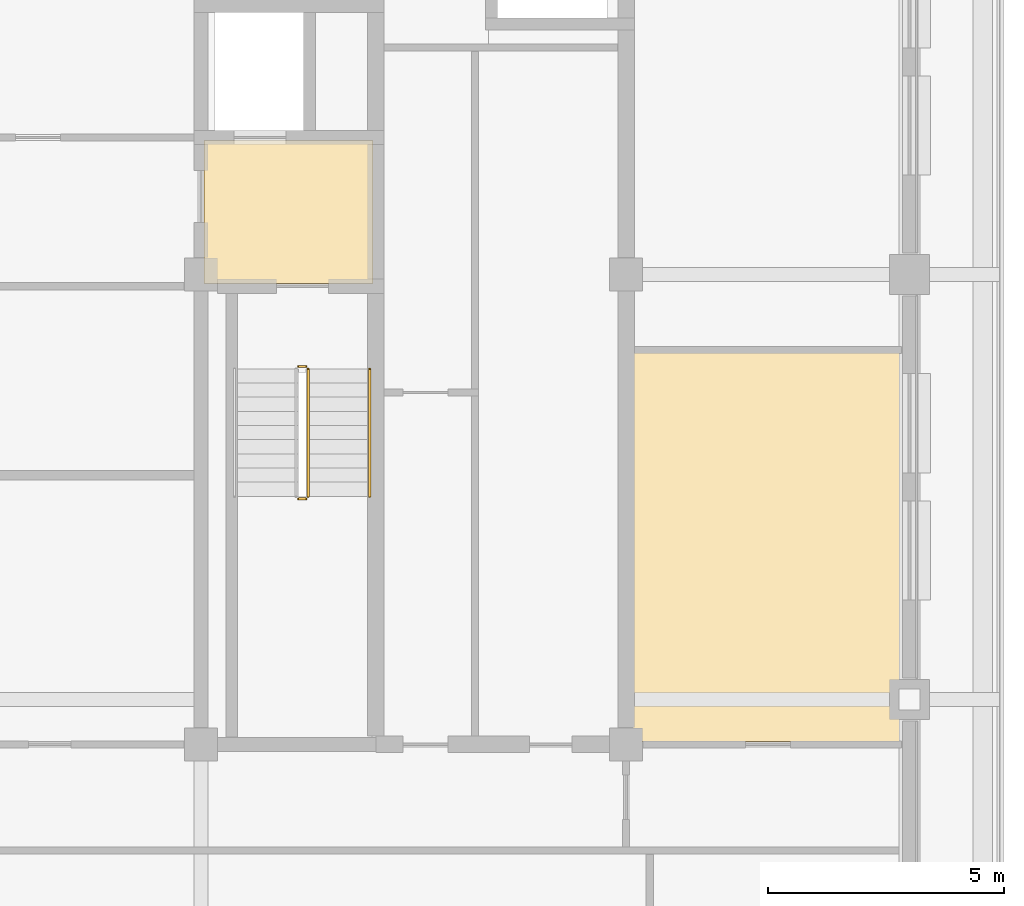
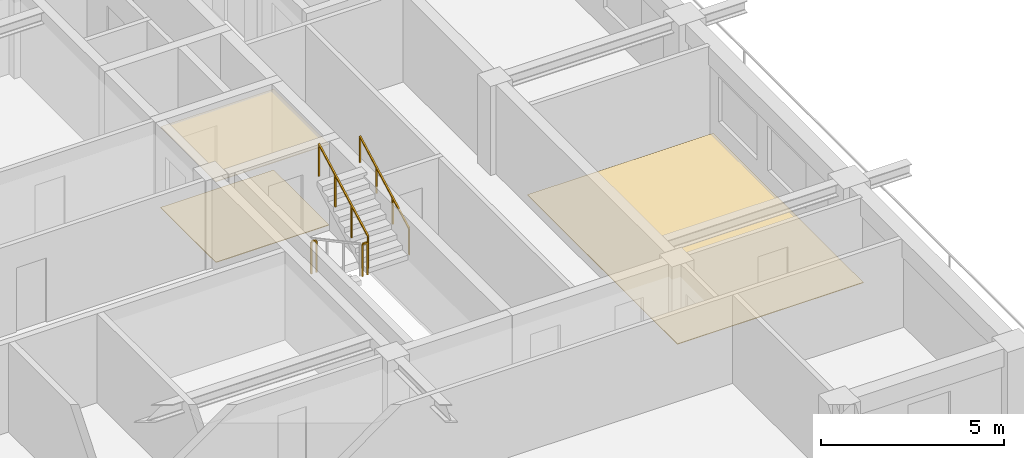
# One storey, part 10 of 11: 4 railings, 3 coverings.
"""IFC4 building model written with IfcOpenShell, lengths in metres."""

from ifc_helpers import new_model, si_unit, direction, frame, origin, origin_2d, place, context, subcontext, project, spatial, polyline, rectangle, outline, extrude, material, layer, layer_set, type_object, element, save


model = new_model("IFC4")

# Units and contexts
model_context = context("Model", 3, precision=1e-05, world=origin(), true_north=direction((0.0, 1.0)))
body_context = subcontext(model_context, "Body", "Model", "MODEL_VIEW")
ifc_project = project(units=[si_unit("LENGTHUNIT", "METRE"), si_unit("AREAUNIT", "SQUARE_METRE"), si_unit("VOLUMEUNIT", "CUBIC_METRE"), si_unit("PLANEANGLEUNIT", "RADIAN"), si_unit("MASSUNIT", "GRAM", prefix="KILO")], contexts=[model_context])

# Site, building, storey
site_placement = place(None, origin())
site = spatial("IfcSite", under=ifc_project, at=site_placement, CompositionType="ELEMENT")
building_placement = place(site_placement, origin())
building = spatial("IfcBuilding", under=site, at=building_placement, Name="Zulmaris Gate Convention Tower", CompositionType="ELEMENT")
storey_placement = place(building_placement, frame((0.0, 0.0, 233.280029296875)))
storey = spatial("IfcBuildingStorey", under=building, at=storey_placement, Name="L61", CompositionType="ELEMENT", Elevation=233.280029296875)

# Coverings
ifc_material_1 = material(Name="Mineral Fibre Acoustic Ceiling Tile")
ifc_layer_1 = layer(ifc_material_1, 0.02001953125, Name="Mineral Fibre Acoustic Ceiling Tile")
ifc_layer_set_1 = layer_set([ifc_layer_1], Name="Mineral Fibre Acoustic Ceiling Tile")
covering_type_1 = type_object("IfcCoveringType", Name="CLG-ACOUSTIC-600", PredefinedType="CEILING", material=ifc_layer_set_1)
covering_1_placement = place(storey_placement, frame((0.0, 0.0, 2.699951171875)))
element("IfcCovering", 1, at=covering_1_placement, inside=storey, type_object=covering_type_1, Name="CLG-L61-R08", PredefinedType="CEILING", context=body_context, shape_type="SweptSolid", body=[
    extrude(outline(polyline([(11.06005859375, -0.18994140625), (14.639892578125, -0.18994140625), (14.639892578125, 2.840087890625), (11.06005859375, 2.840087890625), (11.06005859375, -0.18994140625)])), origin(), (0.0, 0.0, 1.0), 0.02001953125),
])
ifc_material_2 = material(Name="Woven Acoustic Wool Carpet Tile")
ifc_layer_2 = layer(ifc_material_2, 0.02001953125, Name="Woven Acoustic Wool Carpet Tile")
ifc_layer_set_2 = layer_set([ifc_layer_2], Name="Woven Acoustic Wool Carpet Tile")
covering_type_2 = type_object("IfcCoveringType", Name="FLR-CARPET-12", PredefinedType="FLOORING", material=ifc_layer_set_2)
covering_2_placement = place(storey_placement, origin())
element("IfcCovering", 2, at=covering_2_placement, inside=storey, type_object=covering_type_2, Name="FLR-L61-R08", PredefinedType="FLOORING", context=body_context, shape_type="SweptSolid", body=[
    extrude(outline(polyline([(11.06005859375, -0.18994140625), (14.639892578125, -0.18994140625), (14.639892578125, 2.840087890625), (11.06005859375, 2.840087890625), (11.06005859375, -0.18994140625)])), origin(), (0.0, 0.0, 1.0), 0.02001953125),
])
covering_3_placement = place(storey_placement, origin())
element("IfcCovering", 3, at=covering_3_placement, inside=storey, type_object=covering_type_2, Name="FLR-L61-R57", PredefinedType="FLOORING", context=body_context, shape_type="SweptSolid", body=[
    extrude(outline(polyline([(20.06005859375, -9.889892578125), (25.93994140625, -9.889892578125), (25.93994140625, -1.659912109375), (20.06005859375, -1.659912109375), (20.06005859375, -9.889892578125)])), origin(), (0.0, 0.0, 1.0), 0.02001953125),
])

# Railings
ifc_material_3 = material(Name="Painted Galvanised Steel", Category="steel")
railing_type_1 = type_object("IfcRailingType", Name="RL-STG-1150", PredefinedType="GUARDRAIL", material=ifc_material_3)
railing_1_placement = place(storey_placement, frame((13.06005859375, -4.75, 1.614990234375)))
element("IfcRailing", 4, at=railing_1_placement, inside=storey, type_object=railing_type_1, Name="L61 ST-2 stair guard 2", PredefinedType="GUARDRAIL", context=body_context, shape_type="SweptSolid", body=[
    extrude(rectangle(XDim=0.048095703125, YDim=0.048095703125, at=origin_2d()), frame((0.0, 0.0, 1.076171875), z_axis=(1.0, 0.0, 0.0), x_axis=(0.0, 1.0, 0.0)), (0.0, 0.0, 1.0), 0.159912109375),
    extrude(rectangle(XDim=0.0419921875, YDim=0.0419921875, at=origin_2d()), origin(), (0.0, 0.0, 1.0), 1.052001953125),
    extrude(rectangle(XDim=0.0419921875, YDim=0.0419921875, at=origin_2d()), frame((0.159912109375, 0.0, 0.0)), (0.0, 0.0, 1.0), 1.052001953125),
])
railing_2_placement = place(storey_placement, frame((13.27001953125, -4.699951171875, 1.7763671875)))
element("IfcRailing", 5, at=railing_2_placement, inside=storey, type_object=railing_type_1, Name="L61 ST-2 stair guard 3", PredefinedType="GUARDRAIL", context=body_context, shape_type="SweptSolid", body=[
    extrude(rectangle(XDim=0.048095703125, YDim=0.048095703125, at=origin_2d()), frame((0.0, 0.0, 1.076171875), z_axis=(0.0, 0.880499220447, 0.474047595492), x_axis=(-1.0, 0.0, 0.0)), (0.0, 0.0, 1.0), 3.06640625),
    extrude(rectangle(XDim=0.0419921875, YDim=0.0419921875, at=origin_2d()), origin(), (0.0, 0.0, 1.0), 1.052001953125),
    extrude(rectangle(XDim=0.0419921875, YDim=0.0419921875, at=origin_2d()), frame((0.0, 0.89990234375, 0.484619140625)), (0.0, 0.0, 1.0), 1.052001953125),
    extrude(rectangle(XDim=0.0419921875, YDim=0.0419921875, at=origin_2d()), frame((0.0, 1.800048828125, 0.968994140625)), (0.0, 0.0, 1.0), 1.052001953125),
    extrude(rectangle(XDim=0.0419921875, YDim=0.0419921875, at=origin_2d()), frame((0.0, 2.699951171875, 1.45361328125)), (0.0, 0.0, 1.0), 1.052001953125),
])
railing_3_placement = place(storey_placement, frame((13.06005859375, -1.949951171875, 0.0)))
element("IfcRailing", 6, at=railing_3_placement, inside=storey, type_object=railing_type_1, Name="L61 ST-2 stair guard 4", PredefinedType="GUARDRAIL", context=body_context, shape_type="SweptSolid", body=[
    extrude(rectangle(XDim=0.048095703125, YDim=0.048095703125, at=origin_2d()), frame((0.0, 0.0, 1.076171875), z_axis=(1.0, 0.0, 0.0), x_axis=(0.0, 1.0, 0.0)), (0.0, 0.0, 1.0), 0.159912109375),
    extrude(rectangle(XDim=0.0419921875, YDim=0.0419921875, at=origin_2d()), origin(), (0.0, 0.0, 1.0), 1.052001953125),
    extrude(rectangle(XDim=0.0419921875, YDim=0.0419921875, at=origin_2d()), frame((0.159912109375, 0.0, 0.0)), (0.0, 0.0, 1.0), 1.052001953125),
])
ifc_material_4 = material(Name="Brushed Stainless Steel", Category="steel")
railing_type_2 = type_object("IfcRailingType", Name="RL-STH-900", PredefinedType="HANDRAIL", material=ifc_material_4)
railing_4_placement = place(storey_placement, frame((14.570068359375, -4.699951171875, 1.7763671875)))
element("IfcRailing", 7, at=railing_4_placement, inside=storey, type_object=railing_type_2, Name="L61 ST-2 stair handrail 2", PredefinedType="HANDRAIL", context=body_context, shape_type="SweptSolid", body=[
    extrude(rectangle(XDim=0.048095703125, YDim=0.048095703125, at=origin_2d()), frame((0.0, 0.0, 0.8759765625), z_axis=(0.0, 0.880499220447, 0.474047595492), x_axis=(-1.0, 0.0, 0.0)), (0.0, 0.0, 1.0), 3.06640625),
    extrude(rectangle(XDim=0.0419921875, YDim=0.0419921875, at=origin_2d()), origin(), (0.0, 0.0, 1.0), 0.851806640625),
    extrude(rectangle(XDim=0.0419921875, YDim=0.0419921875, at=origin_2d()), frame((0.0, 0.89990234375, 0.484619140625)), (0.0, 0.0, 1.0), 0.851806640625),
    extrude(rectangle(XDim=0.0419921875, YDim=0.0419921875, at=origin_2d()), frame((0.0, 1.800048828125, 0.968994140625)), (0.0, 0.0, 1.0), 0.851806640625),
    extrude(rectangle(XDim=0.0419921875, YDim=0.0419921875, at=origin_2d()), frame((0.0, 2.699951171875, 1.45361328125)), (0.0, 0.0, 1.0), 0.851806640625),
])

save(model, "model.ifc")
